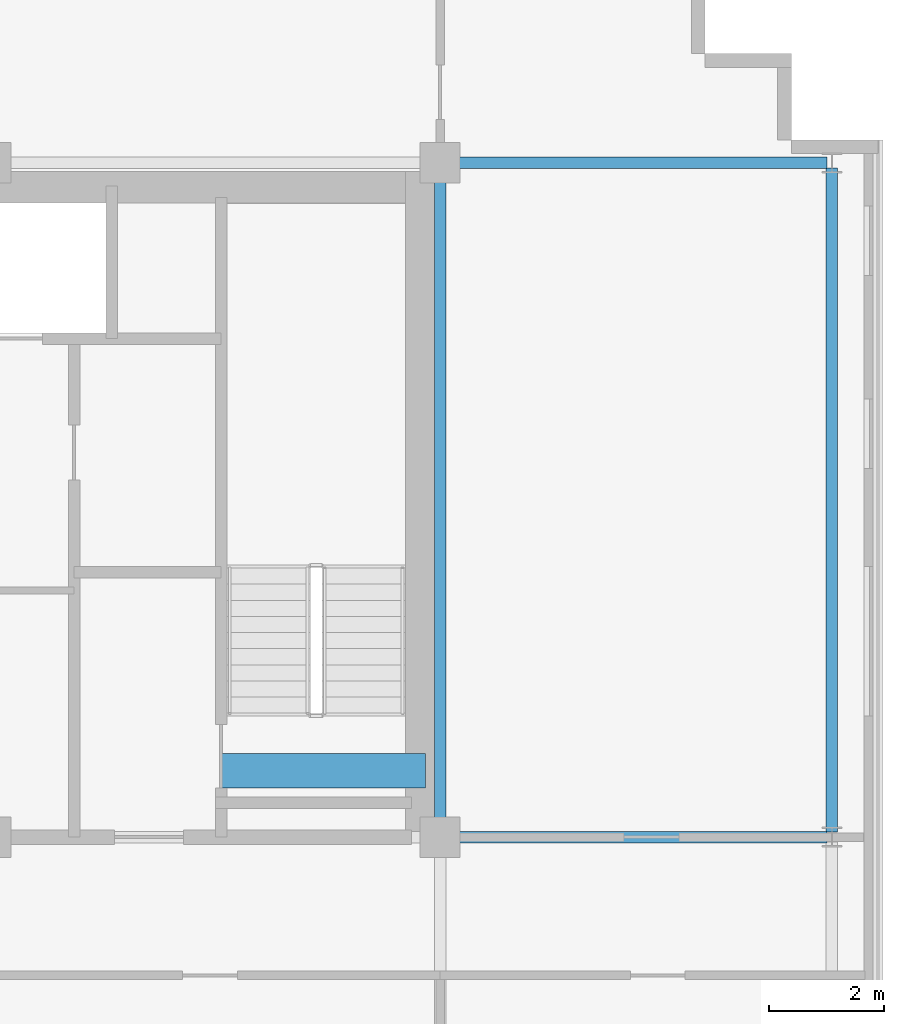
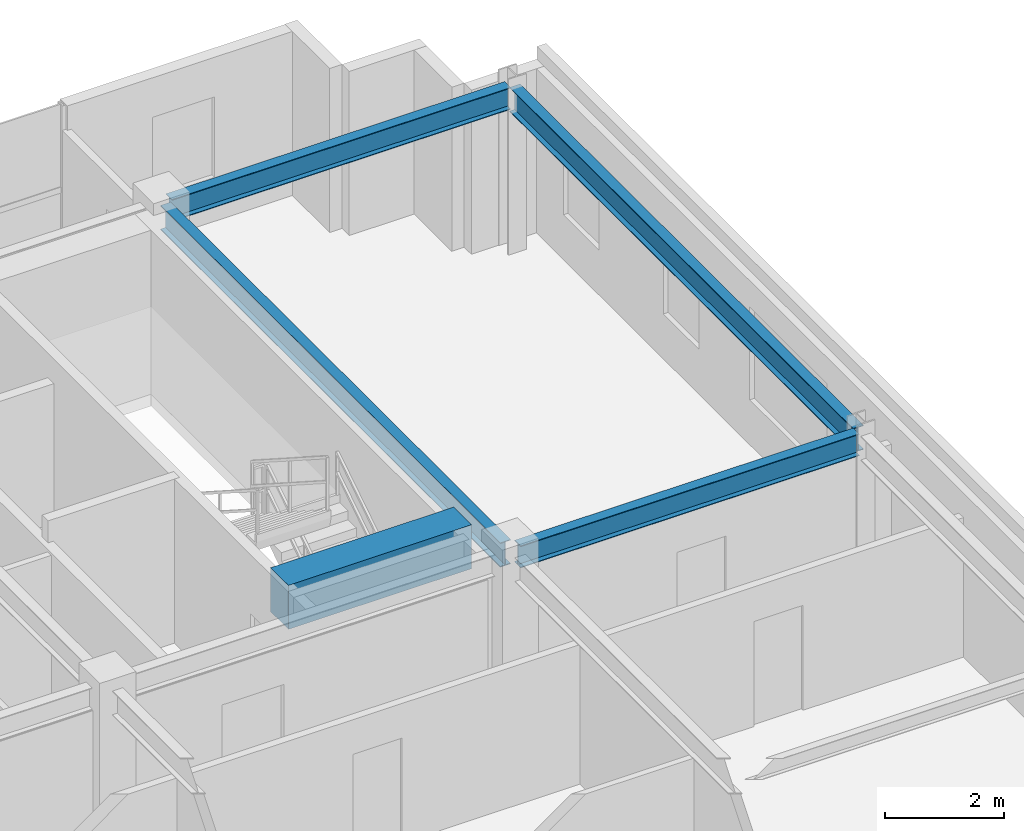
# One storey, part 13 of 23: 5 beams.
"""IFC4 building model written with IfcOpenShell, lengths in metres."""

import ifcopenshell
import ifcopenshell.guid

model = None  # the IFC model being written
_history = None  # IfcOwnerHistory: only IFC2X3 demands one
_inside = {}  # id of a spatial element -> (the spatial element, [elements in it])
_under = {}  # id of a project, library or spatial element -> (it, [spatial elements below it])
_declared = {}  # id of a project -> (the project, [libraries it declares])
_typed = {}  # id of a type object -> (the type object, [elements of that type])
_made_of = {}  # id of a material, layer set ... -> (it, [elements and type objects made of it])


def new_model(schema):
    """Start an empty IFC model of exactly this schema.

    Asked for "IFC4X3", IfcOpenShell would pick the latest addendum, in which some entities
    have other attributes; the version numbers below select the first issue.
    IFC2X3 requires an IfcOwnerHistory on every rooted entity: one is made here for all.
    """
    global model, _history
    if schema == "IFC4X3":
        model = ifcopenshell.file(schema_version=(4, 3, 0, 0))
    else:
        model = ifcopenshell.file(schema=schema)
    _inside.clear()
    _under.clear()
    _declared.clear()
    _typed.clear()
    _made_of.clear()
    _history = None
    if model.schema == "IFC2X3":
        org = make("IfcOrganization", Name="unknown")
        user = make(
            "IfcPersonAndOrganization",
            ThePerson=make("IfcPerson", FamilyName="unknown"),
            TheOrganization=org,
        )
        app = make(
            "IfcApplication",
            ApplicationDeveloper=org,
            Version="unknown",
            ApplicationFullName="unknown",
            ApplicationIdentifier="unknown",
        )
        _history = make(
            "IfcOwnerHistory",
            OwningUser=user,
            OwningApplication=app,
            ChangeAction="ADDED",
            CreationDate=0,
        )
    return model


def make(cls, **values):
    """One entity of the class cls with the attributes given. An attribute that is None is left unset."""
    return model.create_entity(
        cls, **{name: value for name, value in values.items() if value is not None}
    )


def rooted(cls, **values):
    """An entity with a GlobalId (a new one), such as an element, a storey or a relation."""
    return make(cls, GlobalId=ifcopenshell.guid.new(), OwnerHistory=_history, **values)


def si_unit(unit_type, name, prefix=None):
    """IfcSIUnit, for example si_unit("LENGTHUNIT", "METRE", prefix="MILLI")."""
    return make("IfcSIUnit", UnitType=unit_type, Prefix=prefix, Name=name)


def assignment(units):
    """IfcUnitAssignment: the units of a project."""
    return None if units is None else make("IfcUnitAssignment", Units=units)


def point(xyz):
    """IfcCartesianPoint."""
    return None if xyz is None else make("IfcCartesianPoint", Coordinates=xyz)


def direction(xyz):
    """IfcDirection."""
    return None if xyz is None else make("IfcDirection", DirectionRatios=xyz)


def frame(location, z_axis=None, x_axis=None):
    """IfcAxis2Placement3D, a coordinate frame: its origin and axes. An axis left out is left unset."""
    return make(
        "IfcAxis2Placement3D",
        Location=point(location),
        Axis=direction(z_axis),
        RefDirection=direction(x_axis),
    )


def frame_2d(location, x_axis=None):
    """IfcAxis2Placement2D, a coordinate frame in the plane: its origin and x axis."""
    return make(
        "IfcAxis2Placement2D", Location=point(location), RefDirection=direction(x_axis)
    )


def origin():
    """The frame at (0, 0, 0) with its axes left unset."""
    return frame((0.0, 0.0, 0.0))


def origin_2d():
    """The frame at (0, 0) in the plane with its x axis left unset."""
    return frame_2d((0.0, 0.0))


def place(relative_to, where):
    """IfcLocalPlacement: puts the frame where relative to a parent placement (None: the world)."""
    return make(
        "IfcLocalPlacement", PlacementRelTo=relative_to, RelativePlacement=where
    )


def context(
    kind, dimensions, precision=None, world=None, true_north=None, identifier=None
):
    """IfcGeometricRepresentationContext, for example the 3D "Model" context."""
    return make(
        "IfcGeometricRepresentationContext",
        ContextIdentifier=identifier,
        ContextType=kind,
        CoordinateSpaceDimension=dimensions,
        Precision=precision,
        WorldCoordinateSystem=world,
        TrueNorth=true_north,
    )


def subcontext(parent, identifier, kind, view, scale=None):
    """IfcGeometricRepresentationSubContext, for example "Body" below "Model"."""
    return make(
        "IfcGeometricRepresentationSubContext",
        ContextIdentifier=identifier,
        ContextType=kind,
        ParentContext=parent,
        TargetScale=scale,
        TargetView=view,
    )


def project(units=None, contexts=None):
    """IfcProject with its units and contexts."""
    return rooted(
        "IfcProject",
        Name="project",
        RepresentationContexts=contexts,
        UnitsInContext=assignment(units),
    )


def spatial(cls, under=None, at=None, **own):
    """A site, building, storey or space (cls), placed at a placement, below another one or the project."""
    s = rooted(cls, ObjectPlacement=at, **own)
    if under is not None:
        _under.setdefault(under.id(), (under, []))[1].append(s)
    return s


def profile(cls, at=None, kind="AREA", **sizes):
    """A parametric profile (cls). Its sizes go by their IFC names, for example OverallWidth=200.0."""
    return make(cls, ProfileType=kind, Position=at, **sizes)


def rectangle(**sizes):
    """IfcRectangleProfileDef."""
    return profile("IfcRectangleProfileDef", **sizes)


def i_section(**sizes):
    """IfcIShapeProfileDef."""
    return profile("IfcIShapeProfileDef", **sizes)


def extrude(swept, where, along, depth):
    """IfcExtrudedAreaSolid: the profile swept, set in the frame where, extruded along a direction by depth."""
    return make(
        "IfcExtrudedAreaSolid",
        SweptArea=swept,
        Position=where,
        ExtrudedDirection=direction(along),
        Depth=depth,
    )


def shape(context_of_items, identifier, shape_type, items):
    """IfcShapeRepresentation: the items that make up one representation, for example the "Body"."""
    return make(
        "IfcShapeRepresentation",
        ContextOfItems=context_of_items,
        RepresentationIdentifier=identifier,
        RepresentationType=shape_type,
        Items=items,
    )


def source(mapping_origin, context_of_items, identifier, shape_type, items):
    """IfcRepresentationMap: a shape defined once, which mapped items show again and again."""
    return make(
        "IfcRepresentationMap",
        MappingOrigin=mapping_origin,
        MappedRepresentation=shape(context_of_items, identifier, shape_type, items),
    )


def transform(
    local_origin,
    x_axis=None,
    y_axis=None,
    z_axis=None,
    scale=None,
    scale2=None,
    scale3=None,
    uniform=True,
):
    """IfcCartesianTransformationOperator3D, or its non-uniform kind. x_axis, y_axis, z_axis: its Axis1, 2, 3."""
    if uniform:
        return make(
            "IfcCartesianTransformationOperator3D",
            Axis1=direction(x_axis),
            Axis2=direction(y_axis),
            LocalOrigin=point(local_origin),
            Scale=scale,
            Axis3=direction(z_axis),
        )
    return make(
        "IfcCartesianTransformationOperator3DnonUniform",
        Axis1=direction(x_axis),
        Axis2=direction(y_axis),
        LocalOrigin=point(local_origin),
        Scale=scale,
        Axis3=direction(z_axis),
        Scale2=scale2,
        Scale3=scale3,
    )


def mapped(mapping_source, mapping_target):
    """IfcMappedItem: shows the shape of a source again, moved by a transform."""
    return make(
        "IfcMappedItem", MappingSource=mapping_source, MappingTarget=mapping_target
    )


def material(Name=None, Category=None):
    """IfcMaterial."""
    return make("IfcMaterial", Name=Name, Category=Category)


def material_profile(
    of_material, cross_section, Name=None, Category=None, Priority=None
):
    """IfcMaterialProfile: a cross section and its material."""
    return make(
        "IfcMaterialProfile",
        Name=Name,
        Material=of_material,
        Profile=cross_section,
        Priority=Priority,
        Category=Category,
    )


def profile_set(profiles, Name=None, composite=None):
    """IfcMaterialProfileSet."""
    return make(
        "IfcMaterialProfileSet",
        Name=Name,
        MaterialProfiles=profiles,
        CompositeProfile=composite,
    )


def made_of(thing, what):
    """Note that an element or type object is made of a material, layer set ...; save() writes the relation."""
    if what is not None:
        _made_of.setdefault(what.id(), (what, []))[1].append(thing)
    return thing


def type_object(cls, material=None, **own):
    """A type object (cls), such as IfcWallType, which elements share."""
    return made_of(rooted(cls, **own), material)


def element(
    cls,
    number,
    at=None,
    inside=None,
    cuts=None,
    type_object=None,
    material=None,
    context=None,
    identifier="Body",
    shape_type=None,
    held_by="IfcProductDefinitionShape",
    body=None,
    shapes=None,
    **own,
):
    """One element of the class cls, such as IfcWall. Its Tag is "e" and its number.

    at: its placement. inside: the storey or other place that contains it. cuts: it is an
    opening in that element (IfcRelVoidsElement). A single representation is given by context,
    identifier, shape_type and body (its items); several are given by shapes. held_by: the class
    of the entity that holds the representations. save() writes the other relations.
    """
    e = rooted(cls, Tag="e%d" % number, ObjectPlacement=at, **own)
    if body is not None:
        shapes = [shape(context, identifier, shape_type, body)]
    if shapes is not None:
        e.Representation = make(held_by, Representations=shapes)
    if inside is not None:
        _inside.setdefault(inside.id(), (inside, []))[1].append(e)
    if cuts is not None:
        rooted(
            "IfcRelVoidsElement", RelatingBuildingElement=cuts, RelatedOpeningElement=e
        )
    if type_object is not None:
        _typed.setdefault(type_object.id(), (type_object, []))[1].append(e)
    return made_of(e, material)


def aggregate(whole, parts):
    """IfcRelAggregates: a whole, such as a stair, and the parts it consists of."""
    return rooted("IfcRelAggregates", RelatingObject=whole, RelatedObjects=parts)


def save(model, path):
    """Write the relations noted so far, then the file.

    IfcRelAggregates (storeys below a building ...), IfcRelContainedInSpatialStructure (elements
    in a storey), IfcRelDefinesByType, IfcRelAssociatesMaterial and IfcRelDeclares: one each for
    every whole, place, type object, material and project.
    """
    for whole, parts in _under.values():
        aggregate(whole, parts)
    for where, things in _inside.values():
        rooted(
            "IfcRelContainedInSpatialStructure",
            RelatedElements=things,
            RelatingStructure=where,
        )
    for kind, things in _typed.values():
        rooted("IfcRelDefinesByType", RelatedObjects=things, RelatingType=kind)
    for what, things in _made_of.values():
        rooted("IfcRelAssociatesMaterial", RelatedObjects=things, RelatingMaterial=what)
    for by, libraries in _declared.values():
        rooted("IfcRelDeclares", RelatingContext=by, RelatedDefinitions=libraries)
    model.write(path)


model = new_model("IFC4")

# Units and contexts
model_context = context("Model", 3, precision=1e-05, world=origin(), true_north=direction((0.0, 1.0)))
body_context = subcontext(model_context, "Body", "Model", "MODEL_VIEW")
ifc_project = project(units=[si_unit("LENGTHUNIT", "METRE"), si_unit("AREAUNIT", "SQUARE_METRE"), si_unit("VOLUMEUNIT", "CUBIC_METRE"), si_unit("PLANEANGLEUNIT", "RADIAN"), si_unit("MASSUNIT", "GRAM", prefix="KILO")], contexts=[model_context])

# Site, building, storey
site_placement = place(None, origin())
site = spatial("IfcSite", under=ifc_project, at=site_placement, CompositionType="ELEMENT")
building_placement = place(site_placement, origin())
building = spatial("IfcBuilding", under=site, at=building_placement, Name="Trelvane Seafront Commons", CompositionType="ELEMENT")
storey_placement = place(building_placement, frame((0.0, 0.0, 230.10009765625)))
storey = spatial("IfcBuildingStorey", under=building, at=storey_placement, Name="L60", CompositionType="ELEMENT", Elevation=230.10009765625)

# Beams
ifc_material_1 = material(Name="Concrete C60/75", Category="concrete")
ifc_material_profile_1 = material_profile(ifc_material_1, rectangle(XDim=0.60009765625, YDim=0.89990234375, at=origin_2d()), Name="RC-600x900")
ifc_profile_set_1 = profile_set([ifc_material_profile_1], Name="Concrete C60/75")
beam_type_1 = type_object("IfcBeamType", Name="STR-LNT-RC600x900", PredefinedType="LINTEL", material=ifc_profile_set_1)
shared_shape_1 = source(origin(), body_context, "Body", "SweptSolid", [
    extrude(rectangle(XDim=0.60009765625, YDim=0.89990234375, at=origin_2d()), origin(), (0.0, 0.0, 1.0), 3.550048828125),
])
beam_1_placement = place(storey_placement, frame((55.0, 34.550048828125, 2.909912109375), z_axis=(1.0, 0.0, 0.0), x_axis=(0.0, 1.0, 0.0)))
element("IfcBeam", 1, at=beam_1_placement, inside=storey, type_object=beam_type_1, Name="L60 Core Coupling Lintel Beam CB-66", PredefinedType="LINTEL", context=body_context, shape_type="MappedRepresentation", body=[
    mapped(shared_shape_1, transform((0.0, 0.0, 0.0), x_axis=(1.0, 0.0, 0.0), y_axis=(0.0, 1.0, 0.0), z_axis=(0.0, 0.0, 1.0), scale=1.0)),
])
ifc_material_2 = material(Name="Steel SM355 (S355)", Category="steel")
ifc_material_profile_2 = material_profile(ifc_material_2, i_section(OverallWidth=0.199951171875, OverallDepth=0.5, WebThickness=0.010009765625, FlangeThickness=0.01611328125, at=origin_2d()), Name="H-500x200x10x16")
ifc_profile_set_2 = profile_set([ifc_material_profile_2], Name="Steel SM355 (S355)")
beam_type_2 = type_object("IfcBeamType", Name="STR-BM-H500", PredefinedType="BEAM", material=ifc_profile_set_2)
shared_shape_2 = source(origin(), body_context, "Body", "SweptSolid", [
    extrude(i_section(OverallWidth=0.199951171875, OverallDepth=0.5, WebThickness=0.010009765625, FlangeThickness=0.01611328125, at=origin_2d()), origin(), (0.0, 0.0, 1.0), 11.39990234375),
])
beam_2_placement = place(storey_placement, frame((58.800048828125, 33.550048828125, 3.10986328125), z_axis=(0.0, 1.0, 0.0), x_axis=(-1.0, 0.0, 0.0)))
element("IfcBeam", 2, at=beam_2_placement, inside=storey, type_object=beam_type_2, Name="L60 Primary Girder G-49", PredefinedType="BEAM", context=body_context, shape_type="MappedRepresentation", body=[
    mapped(shared_shape_2, transform((0.0, 0.0, 0.0), x_axis=(1.0, 0.0, 0.0), y_axis=(0.0, 1.0, 0.0), z_axis=(0.0, 0.0, 1.0), scale=1.0)),
])
ifc_material_profile_3 = material_profile(ifc_material_2, i_section(OverallWidth=0.199951171875, OverallDepth=0.449951171875, WebThickness=0.009033203125, FlangeThickness=0.013916015625, at=origin_2d()), Name="H-450x200x9x14")
ifc_profile_set_3 = profile_set([ifc_material_profile_3], Name="Steel SM355 (S355)")
beam_type_3 = type_object("IfcBeamType", Name="STR-SPD-H450", PredefinedType="SPANDREL", material=ifc_profile_set_3)
shared_shape_3 = source(origin(), body_context, "Body", "SweptSolid", [
    extrude(i_section(OverallWidth=0.199951171875, OverallDepth=0.449951171875, WebThickness=0.009033203125, FlangeThickness=0.013916015625, at=origin_2d()), origin(), (0.0, 0.0, 1.0), 6.5625),
])
for number, where, z_axis, x_axis, name in (
    (3, (58.949951171875, 33.39990234375, 3.135009765625), (1.0, 0.0, 0.0), (0.0, 1.0, 0.0), "L60 Primary Girder G-21"),
    (4, (58.949951171875, 45.10009765625, 3.135009765625), (1.0, 0.0, 0.0), (0.0, 1.0, 0.0), "L60 Primary Girder G-28"),
):
    element("IfcBeam", number, at=place(storey_placement, frame(where, z_axis=z_axis, x_axis=x_axis)), inside=storey, type_object=beam_type_3, Name=name, PredefinedType="SPANDREL", context=body_context, shape_type="MappedRepresentation", body=[
        mapped(shared_shape_3, transform((0.0, 0.0, 0.0), x_axis=(1.0, 0.0, 0.0), y_axis=(0.0, 1.0, 0.0), z_axis=(0.0, 0.0, 1.0), scale=1.0)),
    ])
shared_shape_4 = source(origin(), body_context, "Body", "SweptSolid", [
    extrude(i_section(OverallWidth=0.199951171875, OverallDepth=0.5, WebThickness=0.010009765625, FlangeThickness=0.01611328125, at=origin_2d()), origin(), (0.0, 0.0, 1.0), 11.52490234375),
])
beam_3_placement = place(storey_placement, frame((65.60009765625, 33.487548828125, 3.10986328125), z_axis=(0.0, 1.0, 0.0), x_axis=(-1.0, 0.0, 0.0)))
element("IfcBeam", 5, at=beam_3_placement, inside=storey, type_object=beam_type_2, Name="L60 Primary Girder G-52", PredefinedType="BEAM", context=body_context, shape_type="MappedRepresentation", body=[
    mapped(shared_shape_4, transform((0.0, 0.0, 0.0), x_axis=(1.0, 0.0, 0.0), y_axis=(0.0, 1.0, 0.0), z_axis=(0.0, 0.0, 1.0), scale=1.0)),
])

save(model, "model.ifc")
